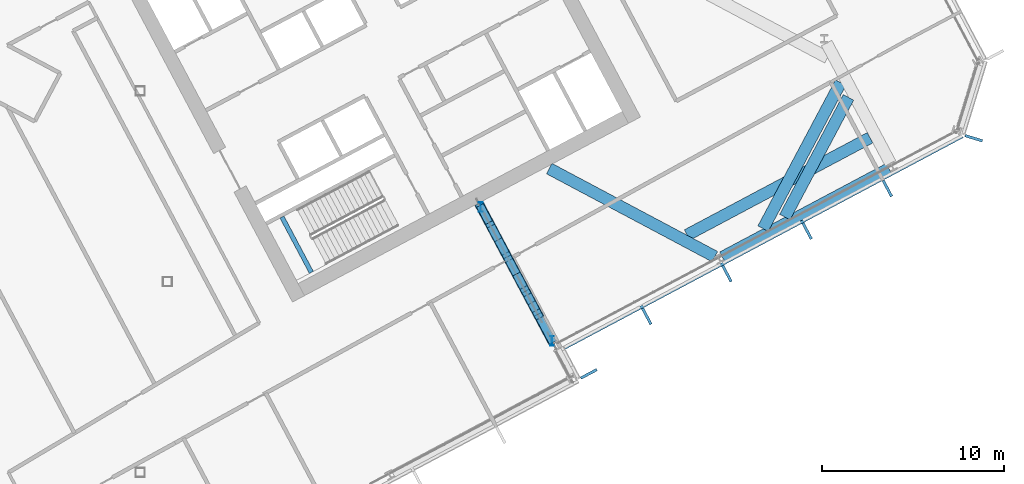
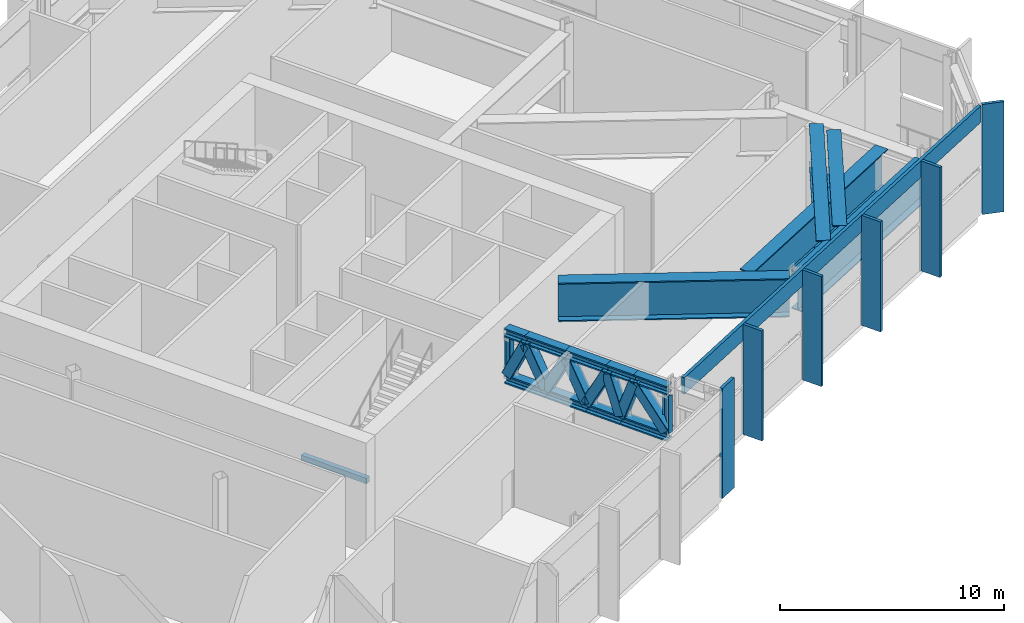
# One storey, part 10 of 33: 26 members, 6 beams, 3 elements without a shape of their own.
"""IFC4 building model written with IfcOpenShell, lengths in metres."""

import ifcopenshell
import ifcopenshell.guid

model = None  # the IFC model being written
_history = None  # IfcOwnerHistory: only IFC2X3 demands one
_inside = {}  # id of a spatial element -> (the spatial element, [elements in it])
_under = {}  # id of a project, library or spatial element -> (it, [spatial elements below it])
_declared = {}  # id of a project -> (the project, [libraries it declares])
_typed = {}  # id of a type object -> (the type object, [elements of that type])
_made_of = {}  # id of a material, layer set ... -> (it, [elements and type objects made of it])


def new_model(schema):
    """Start an empty IFC model of exactly this schema.

    Asked for "IFC4X3", IfcOpenShell would pick the latest addendum, in which some entities
    have other attributes; the version numbers below select the first issue.
    IFC2X3 requires an IfcOwnerHistory on every rooted entity: one is made here for all.
    """
    global model, _history
    if schema == "IFC4X3":
        model = ifcopenshell.file(schema_version=(4, 3, 0, 0))
    else:
        model = ifcopenshell.file(schema=schema)
    _inside.clear()
    _under.clear()
    _declared.clear()
    _typed.clear()
    _made_of.clear()
    _history = None
    if model.schema == "IFC2X3":
        org = make("IfcOrganization", Name="unknown")
        user = make(
            "IfcPersonAndOrganization",
            ThePerson=make("IfcPerson", FamilyName="unknown"),
            TheOrganization=org,
        )
        app = make(
            "IfcApplication",
            ApplicationDeveloper=org,
            Version="unknown",
            ApplicationFullName="unknown",
            ApplicationIdentifier="unknown",
        )
        _history = make(
            "IfcOwnerHistory",
            OwningUser=user,
            OwningApplication=app,
            ChangeAction="ADDED",
            CreationDate=0,
        )
    return model


def make(cls, **values):
    """One entity of the class cls with the attributes given. An attribute that is None is left unset."""
    return model.create_entity(
        cls, **{name: value for name, value in values.items() if value is not None}
    )


def rooted(cls, **values):
    """An entity with a GlobalId (a new one), such as an element, a storey or a relation."""
    return make(cls, GlobalId=ifcopenshell.guid.new(), OwnerHistory=_history, **values)


def si_unit(unit_type, name, prefix=None):
    """IfcSIUnit, for example si_unit("LENGTHUNIT", "METRE", prefix="MILLI")."""
    return make("IfcSIUnit", UnitType=unit_type, Prefix=prefix, Name=name)


def assignment(units):
    """IfcUnitAssignment: the units of a project."""
    return None if units is None else make("IfcUnitAssignment", Units=units)


def point(xyz):
    """IfcCartesianPoint."""
    return None if xyz is None else make("IfcCartesianPoint", Coordinates=xyz)


def direction(xyz):
    """IfcDirection."""
    return None if xyz is None else make("IfcDirection", DirectionRatios=xyz)


def frame(location, z_axis=None, x_axis=None):
    """IfcAxis2Placement3D, a coordinate frame: its origin and axes. An axis left out is left unset."""
    return make(
        "IfcAxis2Placement3D",
        Location=point(location),
        Axis=direction(z_axis),
        RefDirection=direction(x_axis),
    )


def frame_2d(location, x_axis=None):
    """IfcAxis2Placement2D, a coordinate frame in the plane: its origin and x axis."""
    return make(
        "IfcAxis2Placement2D", Location=point(location), RefDirection=direction(x_axis)
    )


def origin():
    """The frame at (0, 0, 0) with its axes left unset."""
    return frame((0.0, 0.0, 0.0))


def origin_2d():
    """The frame at (0, 0) in the plane with its x axis left unset."""
    return frame_2d((0.0, 0.0))


def place(relative_to, where):
    """IfcLocalPlacement: puts the frame where relative to a parent placement (None: the world)."""
    return make(
        "IfcLocalPlacement", PlacementRelTo=relative_to, RelativePlacement=where
    )


def context(
    kind, dimensions, precision=None, world=None, true_north=None, identifier=None
):
    """IfcGeometricRepresentationContext, for example the 3D "Model" context."""
    return make(
        "IfcGeometricRepresentationContext",
        ContextIdentifier=identifier,
        ContextType=kind,
        CoordinateSpaceDimension=dimensions,
        Precision=precision,
        WorldCoordinateSystem=world,
        TrueNorth=true_north,
    )


def subcontext(parent, identifier, kind, view, scale=None):
    """IfcGeometricRepresentationSubContext, for example "Body" below "Model"."""
    return make(
        "IfcGeometricRepresentationSubContext",
        ContextIdentifier=identifier,
        ContextType=kind,
        ParentContext=parent,
        TargetScale=scale,
        TargetView=view,
    )


def project(units=None, contexts=None):
    """IfcProject with its units and contexts."""
    return rooted(
        "IfcProject",
        Name="project",
        RepresentationContexts=contexts,
        UnitsInContext=assignment(units),
    )


def spatial(cls, under=None, at=None, **own):
    """A site, building, storey or space (cls), placed at a placement, below another one or the project."""
    s = rooted(cls, ObjectPlacement=at, **own)
    if under is not None:
        _under.setdefault(under.id(), (under, []))[1].append(s)
    return s


def profile(cls, at=None, kind="AREA", **sizes):
    """A parametric profile (cls). Its sizes go by their IFC names, for example OverallWidth=200.0."""
    return make(cls, ProfileType=kind, Position=at, **sizes)


def rectangle(**sizes):
    """IfcRectangleProfileDef."""
    return profile("IfcRectangleProfileDef", **sizes)


def hollow_rectangle(**sizes):
    """IfcRectangleHollowProfileDef."""
    return profile("IfcRectangleHollowProfileDef", **sizes)


def i_section(**sizes):
    """IfcIShapeProfileDef."""
    return profile("IfcIShapeProfileDef", **sizes)


def extrude(swept, where, along, depth):
    """IfcExtrudedAreaSolid: the profile swept, set in the frame where, extruded along a direction by depth."""
    return make(
        "IfcExtrudedAreaSolid",
        SweptArea=swept,
        Position=where,
        ExtrudedDirection=direction(along),
        Depth=depth,
    )


def shape(context_of_items, identifier, shape_type, items):
    """IfcShapeRepresentation: the items that make up one representation, for example the "Body"."""
    return make(
        "IfcShapeRepresentation",
        ContextOfItems=context_of_items,
        RepresentationIdentifier=identifier,
        RepresentationType=shape_type,
        Items=items,
    )


def material(Name=None, Category=None):
    """IfcMaterial."""
    return make("IfcMaterial", Name=Name, Category=Category)


def layer(
    of_material, thickness, ventilated=None, Name=None, Category=None, Priority=None
):
    """IfcMaterialLayer: one layer of a wall or slab, of a material (None: an air gap)."""
    return make(
        "IfcMaterialLayer",
        Material=of_material,
        LayerThickness=thickness,
        IsVentilated=ventilated,
        Name=Name,
        Category=Category,
        Priority=Priority,
    )


def layer_set(layers, Name=None):
    """IfcMaterialLayerSet."""
    return make("IfcMaterialLayerSet", MaterialLayers=layers, LayerSetName=Name)


def material_profile(
    of_material, cross_section, Name=None, Category=None, Priority=None
):
    """IfcMaterialProfile: a cross section and its material."""
    return make(
        "IfcMaterialProfile",
        Name=Name,
        Material=of_material,
        Profile=cross_section,
        Priority=Priority,
        Category=Category,
    )


def profile_set(profiles, Name=None, composite=None):
    """IfcMaterialProfileSet."""
    return make(
        "IfcMaterialProfileSet",
        Name=Name,
        MaterialProfiles=profiles,
        CompositeProfile=composite,
    )


def made_of(thing, what):
    """Note that an element or type object is made of a material, layer set ...; save() writes the relation."""
    if what is not None:
        _made_of.setdefault(what.id(), (what, []))[1].append(thing)
    return thing


def type_object(cls, material=None, **own):
    """A type object (cls), such as IfcWallType, which elements share."""
    return made_of(rooted(cls, **own), material)


def element(
    cls,
    number,
    at=None,
    inside=None,
    cuts=None,
    type_object=None,
    material=None,
    context=None,
    identifier="Body",
    shape_type=None,
    held_by="IfcProductDefinitionShape",
    body=None,
    shapes=None,
    **own,
):
    """One element of the class cls, such as IfcWall. Its Tag is "e" and its number.

    at: its placement. inside: the storey or other place that contains it. cuts: it is an
    opening in that element (IfcRelVoidsElement). A single representation is given by context,
    identifier, shape_type and body (its items); several are given by shapes. held_by: the class
    of the entity that holds the representations. save() writes the other relations.
    """
    e = rooted(cls, Tag="e%d" % number, ObjectPlacement=at, **own)
    if body is not None:
        shapes = [shape(context, identifier, shape_type, body)]
    if shapes is not None:
        e.Representation = make(held_by, Representations=shapes)
    if inside is not None:
        _inside.setdefault(inside.id(), (inside, []))[1].append(e)
    if cuts is not None:
        rooted(
            "IfcRelVoidsElement", RelatingBuildingElement=cuts, RelatedOpeningElement=e
        )
    if type_object is not None:
        _typed.setdefault(type_object.id(), (type_object, []))[1].append(e)
    return made_of(e, material)


def aggregate(whole, parts):
    """IfcRelAggregates: a whole, such as a stair, and the parts it consists of."""
    return rooted("IfcRelAggregates", RelatingObject=whole, RelatedObjects=parts)


def save(model, path):
    """Write the relations noted so far, then the file.

    IfcRelAggregates (storeys below a building ...), IfcRelContainedInSpatialStructure (elements
    in a storey), IfcRelDefinesByType, IfcRelAssociatesMaterial and IfcRelDeclares: one each for
    every whole, place, type object, material and project.
    """
    for whole, parts in _under.values():
        aggregate(whole, parts)
    for where, things in _inside.values():
        rooted(
            "IfcRelContainedInSpatialStructure",
            RelatedElements=things,
            RelatingStructure=where,
        )
    for kind, things in _typed.values():
        rooted("IfcRelDefinesByType", RelatedObjects=things, RelatingType=kind)
    for what, things in _made_of.values():
        rooted("IfcRelAssociatesMaterial", RelatedObjects=things, RelatingMaterial=what)
    for by, libraries in _declared.values():
        rooted("IfcRelDeclares", RelatingContext=by, RelatedDefinitions=libraries)
    model.write(path)


model = new_model("IFC4")

# Units and contexts
model_context = context("Model", 3, precision=1e-05, world=origin(), true_north=direction((0.0, 1.0)))
body_context = subcontext(model_context, "Body", "Model", "MODEL_VIEW")
ifc_project = project(units=[si_unit("LENGTHUNIT", "METRE"), si_unit("AREAUNIT", "SQUARE_METRE"), si_unit("VOLUMEUNIT", "CUBIC_METRE"), si_unit("PLANEANGLEUNIT", "RADIAN"), si_unit("MASSUNIT", "GRAM", prefix="KILO")], contexts=[model_context])

# Site, building, storey
site_placement = place(None, origin())
site = spatial("IfcSite", under=ifc_project, at=site_placement, CompositionType="ELEMENT")
building_placement = place(site_placement, origin())
building = spatial("IfcBuilding", under=site, at=building_placement, Name="Cormorant Relay Tower", CompositionType="ELEMENT")
storey_placement = place(building_placement, frame((0.0, 0.0, 183.60009765625)))
storey = spatial("IfcBuildingStorey", under=building, at=storey_placement, Name="L39", CompositionType="ELEMENT", Elevation=183.60009765625)

# Curtain wall, member
ifc_material_1 = material(Name="Aluminium 6063-T6 anodised bronze", Category="aluminium")
ifc_layer = layer(ifc_material_1, 0.199951171875)
ifc_layer_set = layer_set([ifc_layer], Name="CW4 band louvre wall")
curtain_wall_type = type_object("IfcCurtainWallType", Name="CW4 band louvre wall", PredefinedType="NOTDEFINED", material=ifc_layer_set)
curtain_wall_1_placement = place(storey_placement, origin())
curtain_wall_1 = element("IfcCurtainWall", 1, at=curtain_wall_1_placement, inside=storey, type_object=curtain_wall_type, Name="CW4 curtain wall 3", PredefinedType="NOTDEFINED")
ifc_material_2 = material(Name="Aluminium 6063-T6 anodised bronze", Category="aluminium")
ifc_material_profile_1 = material_profile(ifc_material_2, rectangle(XDim=0.14990234375, YDim=1.0, at=origin_2d()), Name="AL 150x1000")
ifc_profile_set_1 = profile_set([ifc_material_profile_1], Name="Aluminium 6063-T6 anodised bronze")
member_type_1 = type_object("IfcMemberType", Name="CW4 bronze fin mullion 150 x 1000", PredefinedType="MULLION", material=ifc_profile_set_1)
member_1_placement = place(storey_placement, frame((35.199462890625, -5.068115234375, 0.0), z_axis=(0.0, 0.0, 1.0), x_axis=(-0.469471562786, 0.882947592859, 0.0)))
member_1 = element("IfcMember", 2, at=member_1_placement, type_object=member_type_1, Name="CW4 fin 3.1", PredefinedType="MULLION", context=body_context, shape_type="SweptSolid", body=[
    extrude(rectangle(XDim=0.14990234375, YDim=1.0, at=origin_2d()), origin(), (0.0, 0.0, 1.0), 6.0),
])
aggregate(curtain_wall_1, [member_1])

# Curtain wall, members
curtain_wall_2_placement = place(storey_placement, origin())
curtain_wall_2 = element("IfcCurtainWall", 3, at=curtain_wall_2_placement, inside=storey, type_object=curtain_wall_type, Name="CW4 curtain wall 4", PredefinedType="NOTDEFINED")
member_2_placement = place(storey_placement, frame((38.385986328125, -1.901611328125, 0.0), z_axis=(0.0, 0.0, 1.0), x_axis=(0.882947592859, 0.469471562786, 0.0)))
member_2 = element("IfcMember", 4, at=member_2_placement, type_object=member_type_1, Name="CW4 fin 4.2", PredefinedType="MULLION", context=body_context, shape_type="SweptSolid", body=[
    extrude(rectangle(XDim=0.14990234375, YDim=1.0, at=origin_2d()), origin(), (0.0, 0.0, 1.0), 6.0),
])
member_3_placement = place(storey_placement, frame((42.800537109375, 0.44580078125, 0.0), z_axis=(0.0, 0.0, 1.0), x_axis=(0.882947592859, 0.469471562786, 0.0)))
member_3 = element("IfcMember", 5, at=member_3_placement, type_object=member_type_1, Name="CW4 fin 4.3", PredefinedType="MULLION", context=body_context, shape_type="SweptSolid", body=[
    extrude(rectangle(XDim=0.14990234375, YDim=1.0, at=origin_2d()), origin(), (0.0, 0.0, 1.0), 6.0),
])
member_4_placement = place(storey_placement, frame((47.21533203125, 2.793212890625, 0.0), z_axis=(0.0, 0.0, 1.0), x_axis=(0.882947592859, 0.469471562786, 0.0)))
member_4 = element("IfcMember", 6, at=member_4_placement, type_object=member_type_1, Name="CW4 fin 4.4", PredefinedType="MULLION", context=body_context, shape_type="SweptSolid", body=[
    extrude(rectangle(XDim=0.14990234375, YDim=1.0, at=origin_2d()), origin(), (0.0, 0.0, 1.0), 6.0),
])
member_5_placement = place(storey_placement, frame((51.630126953125, 5.140625, 0.0), z_axis=(0.0, 0.0, 1.0), x_axis=(0.882947592859, 0.469471562786, 0.0)))
member_5 = element("IfcMember", 7, at=member_5_placement, type_object=member_type_1, Name="CW4 fin 4.5", PredefinedType="MULLION", context=body_context, shape_type="SweptSolid", body=[
    extrude(rectangle(XDim=0.14990234375, YDim=1.0, at=origin_2d()), origin(), (0.0, 0.0, 1.0), 6.0),
])

# Curtain wall, member
curtain_wall_3_placement = place(storey_placement, origin())
curtain_wall_3 = element("IfcCurtainWall", 8, at=curtain_wall_3_placement, inside=storey, type_object=curtain_wall_type, Name="CW4 curtain wall 5", PredefinedType="NOTDEFINED")
member_6_placement = place(storey_placement, frame((56.385498046875, 7.9013671875, 0.0), z_axis=(0.0, 0.0, 1.0), x_axis=(0.292371704723, 0.956304755963, 0.0)))
member_6 = element("IfcMember", 9, at=member_6_placement, type_object=member_type_1, Name="CW4 fin 5.1", PredefinedType="MULLION", context=body_context, shape_type="SweptSolid", body=[
    extrude(rectangle(XDim=0.14990234375, YDim=1.0, at=origin_2d()), origin(), (0.0, 0.0, 1.0), 6.0),
])
aggregate(curtain_wall_3, [member_6])

# Member
ifc_material_3 = material(Name="Aluminium 6063-T6 anodised bronze", Category="aluminium")
ifc_material_profile_2 = material_profile(ifc_material_3, rectangle(XDim=0.159912109375, YDim=0.89990234375, at=origin_2d()), Name="AL 160x900")
ifc_profile_set_2 = profile_set([ifc_material_profile_2], Name="Aluminium 6063-T6 anodised bronze")
member_type_2 = type_object("IfcMemberType", Name="CW4 bronze transom 160 x 900", PredefinedType="USERDEFINED", material=ifc_profile_set_2)
member_7_placement = place(storey_placement, frame((33.69873046875, -3.73681640625, 5.5498046875), z_axis=(0.88294749795, 0.469471741284, 0.0), x_axis=(-0.469471741284, 0.88294749795, 0.0)))
member_7 = element("IfcMember", 10, at=member_7_placement, type_object=member_type_2, Name="CW4 transom 4", ObjectType="TRANSOM", PredefinedType="USERDEFINED", context=body_context, shape_type="SweptSolid", body=[
    extrude(rectangle(XDim=0.159912109375, YDim=0.89990234375, at=origin_2d()), origin(), (0.0, 0.0, 1.0), 25.0),
])

aggregate(curtain_wall_2, [member_2, member_3, member_4, member_5, member_7])

# Beams
ifc_material_4 = material(Name="Concrete 50 MPa", Category="concrete")
ifc_material_profile_3 = material_profile(ifc_material_4, rectangle(XDim=0.25, YDim=0.300048828125, at=origin_2d()), Name="RC 250x300")
ifc_profile_set_3 = profile_set([ifc_material_profile_3], Name="Concrete 50 MPa")
beam_type_1 = type_object("IfcBeamType", Name="Stair landing ledge beam 250x300", PredefinedType="BEAM", material=ifc_profile_set_3)
beam_1_placement = place(storey_placement, frame((18.305908203125, 3.56103515625, 2.64990234375), z_axis=(0.469519084434, -0.88292232351, 0.0), x_axis=(0.88292232351, 0.469519084434, 0.0)))
element("IfcBeam", 11, at=beam_1_placement, inside=storey, type_object=beam_type_1, Name="B1 landing ledge beam", PredefinedType="BEAM", context=body_context, shape_type="SweptSolid", body=[
    extrude(rectangle(XDim=0.25, YDim=0.300048828125, at=origin_2d()), origin(), (0.0, 0.0, 1.0), 3.449951171875),
])
ifc_material_5 = material(Name="Steel ASTM A572 Grade 50 (Fy 345 MPa)", Category="steel")
ifc_material_profile_4 = material_profile(ifc_material_5, i_section(OverallWidth=0.64990234375, OverallDepth=2.10009765625, WebThickness=0.028076171875, FlangeThickness=0.06005859375, at=origin_2d()), Name="PG2100x650")
ifc_profile_set_4 = profile_set([ifc_material_profile_4], Name="Steel ASTM A572 Grade 50 (Fy 345 MPa)")
beam_type_2 = type_object("IfcBeamType", Name="Transfer girder PG2100x650", PredefinedType="BEAM", material=ifc_profile_set_4)
beam_2_placement = place(storey_placement, frame((42.1376953125, 1.381103515625, 4.5), z_axis=(-0.882962656725, 0.469443230678, 0.0), x_axis=(-0.469443230678, -0.882962656725, 0.0)))
element("IfcBeam", 12, at=beam_2_placement, inside=storey, type_object=beam_type_2, Name="Transfer girder L39-03", PredefinedType="BEAM", context=body_context, shape_type="SweptSolid", body=[
    extrude(i_section(OverallWidth=0.64990234375, OverallDepth=2.10009765625, WebThickness=0.028076171875, FlangeThickness=0.06005859375, at=origin_2d()), origin(), (0.0, 0.0, 1.0), 10.3291015625),
])
beam_3_placement = place(storey_placement, frame((42.55078125, 1.3544921875, 4.5), z_axis=(0.882955922346, 0.469455896963, 0.0), x_axis=(-0.469455896963, 0.882955922346, 0.0)))
element("IfcBeam", 13, at=beam_3_placement, inside=storey, type_object=beam_type_2, Name="Transfer girder L39-07", PredefinedType="BEAM", context=body_context, shape_type="SweptSolid", body=[
    extrude(i_section(OverallWidth=0.64990234375, OverallDepth=2.10009765625, WebThickness=0.028076171875, FlangeThickness=0.06005859375, at=origin_2d()), origin(), (0.0, 0.0, 1.0), 10.388427734375),
])
beam_4_placement = place(storey_placement, frame((40.606201171875, 2.57470703125, 4.5), z_axis=(0.882944903437, 0.469476620819, 0.0), x_axis=(-0.469476620819, 0.882944903437, 0.0)))
element("IfcBeam", 14, at=beam_4_placement, inside=storey, type_object=beam_type_2, Name="Transfer girder L39-09", PredefinedType="BEAM", context=body_context, shape_type="SweptSolid", body=[
    extrude(i_section(OverallWidth=0.64990234375, OverallDepth=2.10009765625, WebThickness=0.028076171875, FlangeThickness=0.06005859375, at=origin_2d()), origin(), (0.0, 0.0, 1.0), 11.403076171875),
])
beam_5_placement = place(storey_placement, frame((49.49267578125, 10.15087890625, 4.5), z_axis=(-0.469465379163, -0.882950880722, 0.0), x_axis=(0.882950880722, -0.469465379163, 0.0)))
element("IfcBeam", 15, at=beam_5_placement, inside=storey, type_object=beam_type_2, Name="Transfer girder L39-10", PredefinedType="BEAM", context=body_context, shape_type="SweptSolid", body=[
    extrude(i_section(OverallWidth=0.64990234375, OverallDepth=2.10009765625, WebThickness=0.028076171875, FlangeThickness=0.06005859375, at=origin_2d()), origin(), (0.0, 0.0, 1.0), 7.462158203125),
])
beam_6_placement = place(storey_placement, frame((49.0615234375, 10.961181640625, 4.5), z_axis=(-0.469461744074, -0.882952813491, 0.0), x_axis=(0.882952813491, -0.469461744074, 0.0)))
element("IfcBeam", 16, at=beam_6_placement, inside=storey, type_object=beam_type_2, Name="Transfer girder L39-11", PredefinedType="BEAM", context=body_context, shape_type="SweptSolid", body=[
    extrude(i_section(OverallWidth=0.64990234375, OverallDepth=2.10009765625, WebThickness=0.028076171875, FlangeThickness=0.06005859375, at=origin_2d()), origin(), (0.0, 0.0, 1.0), 9.103271484375),
])

# Members
ifc_material_6 = material(Name="Steel ASTM A992 (Fy 345 MPa)", Category="steel")
ifc_material_profile_5 = material_profile(ifc_material_6, i_section(OverallWidth=0.42431640625, OverallDepth=0.47509765625, WebThickness=0.0478515625, FlangeThickness=0.0771484375, FilletRadius=0.014892578125, at=origin_2d()), Name="W360x634")
ifc_profile_set_5 = profile_set([ifc_material_profile_5], Name="Steel ASTM A992 (Fy 345 MPa)")
member_type_3 = type_object("IfcMemberType", Name="Truss bottom chord W360x634", PredefinedType="CHORD", material=ifc_profile_set_5)
member_8_placement = place(storey_placement, frame((33.218994140625, -3.3466796875, 2.787353515625), z_axis=(-0.469440209666, 0.882964262895, 0.0), x_axis=(-0.882964262895, -0.469440209666, 0.0)))
element("IfcMember", 17, at=member_8_placement, inside=storey, type_object=member_type_3, Name="Truss bottom chord L39-02-06", PredefinedType="CHORD", context=body_context, shape_type="SweptSolid", body=[
    extrude(i_section(OverallWidth=0.42431640625, OverallDepth=0.47509765625, WebThickness=0.0478515625, FlangeThickness=0.0771484375, FilletRadius=0.014892578125, at=origin_2d()), origin(), (0.0, 0.0, 1.0), 2.484375),
])
member_9_placement = place(storey_placement, frame((32.052734375, -1.153076171875, 2.787353515625), z_axis=(-0.469540618156, 0.882910872003, 0.0), x_axis=(-0.882910872003, -0.469540618156, 0.0)))
element("IfcMember", 18, at=member_9_placement, inside=storey, type_object=member_type_3, Name="Truss bottom chord L39-02-07", PredefinedType="CHORD", context=body_context, shape_type="SweptSolid", body=[
    extrude(i_section(OverallWidth=0.42431640625, OverallDepth=0.47509765625, WebThickness=0.0478515625, FlangeThickness=0.0771484375, FilletRadius=0.014892578125, at=origin_2d()), origin(), (0.0, 0.0, 1.0), 1.790771484375),
])
for number, where, z_axis, x_axis, name in (
    (19, (31.2119140625, 0.427978515625, 2.787353515625), (-0.46941407626, 0.882978156586, 0.0), (-0.882978156586, -0.46941407626, 0.0), "Truss bottom chord L39-02-08"),
    (20, (30.20849609375, 2.3154296875, 2.787353515625), (-0.469503115057, 0.882930815496, 0.0), (-0.882930815496, -0.469503115057, 0.0), "Truss bottom chord L39-02-09"),
):
    element("IfcMember", number, at=place(storey_placement, frame(where, z_axis=z_axis, x_axis=x_axis)), inside=storey, type_object=member_type_3, Name=name, PredefinedType="CHORD", context=body_context, shape_type="SweptSolid", body=[
        extrude(i_section(OverallWidth=0.42431640625, OverallDepth=0.47509765625, WebThickness=0.0478515625, FlangeThickness=0.0771484375, FilletRadius=0.014892578125, at=origin_2d()), origin(), (0.0, 0.0, 1.0), 2.1376953125),
    ])
ifc_material_7 = material(Name="Steel ASTM A500 Grade C (Fy 345 MPa)", Category="steel")
ifc_material_profile_6 = material_profile(ifc_material_7, hollow_rectangle(XDim=0.508056640625, YDim=0.508056640625, WallThickness=0.020751953125, InnerFilletRadius=0.01025390625, OuterFilletRadius=0.031005859375, at=origin_2d()), Name="HSS508x508x21")
ifc_profile_set_6 = profile_set([ifc_material_profile_6], Name="Steel ASTM A500 Grade C (Fy 345 MPa)")
member_type_4 = type_object("IfcMemberType", Name="Truss diagonal HSS508x508x21", PredefinedType="BRACE", material=ifc_profile_set_6)
member_10_placement = place(storey_placement, frame((33.169921875, -3.25439453125, 3.02490234375), z_axis=(-0.295204206779, 0.555220961056, 0.777550101732), x_axis=(-0.882955512936, -0.469456666985, 0.0)))
element("IfcMember", 21, at=member_10_placement, inside=storey, type_object=member_type_4, Name="Truss diagonal L39-02-12", PredefinedType="BRACE", context=body_context, shape_type="SweptSolid", body=[
    extrude(hollow_rectangle(XDim=0.508056640625, YDim=0.508056640625, WallThickness=0.020751953125, InnerFilletRadius=0.01025390625, OuterFilletRadius=0.031005859375, at=origin_2d()), origin(), (0.0, 0.0, 1.0), 2.636474609375),
])
for number, where, z_axis, x_axis, name in (
    (22, (32.3916015625, -1.79052734375, 5.074951171875), (-0.155912276224, 0.29329031212, -0.943224339666), (-0.88298870853, -0.469394227285, 0.0), "Truss diagonal L39-02-13"),
    (23, (32.052734375, -1.153076171875, 3.02490234375), (-0.155912276224, 0.29329031212, 0.943224339666), (-0.88298870853, -0.469394227285, 0.0), "Truss diagonal L39-02-14"),
):
    element("IfcMember", number, at=place(storey_placement, frame(where, z_axis=z_axis, x_axis=x_axis)), inside=storey, type_object=member_type_4, Name=name, PredefinedType="BRACE", context=body_context, shape_type="SweptSolid", body=[
        extrude(hollow_rectangle(XDim=0.508056640625, YDim=0.508056640625, WallThickness=0.020751953125, InnerFilletRadius=0.01025390625, OuterFilletRadius=0.031005859375, at=origin_2d()), origin(), (0.0, 0.0, 1.0), 2.17333984375),
    ])
member_11_placement = place(storey_placement, frame((31.7138671875, -0.515625, 5.074951171875), z_axis=(-0.217113830851, 0.408144433968, -0.886724142828), x_axis=(-0.882858283586, -0.46963949057, 0.0)))
element("IfcMember", 24, at=member_11_placement, inside=storey, type_object=member_type_4, Name="Truss diagonal L39-02-15", PredefinedType="BRACE", context=body_context, shape_type="SweptSolid", body=[
    extrude(hollow_rectangle(XDim=0.508056640625, YDim=0.508056640625, WallThickness=0.020751953125, InnerFilletRadius=0.01025390625, OuterFilletRadius=0.031005859375, at=origin_2d()), origin(), (0.0, 0.0, 1.0), 2.31201171875),
])
member_12_placement = place(storey_placement, frame((31.2119140625, 0.427978515625, 3.02490234375), z_axis=(-0.2170132051, 0.408153789642, 0.886744468724), x_axis=(-0.882952986065, -0.469461419499, 0.0)))
element("IfcMember", 25, at=member_12_placement, inside=storey, type_object=member_type_4, Name="Truss diagonal L39-02-16", PredefinedType="BRACE", context=body_context, shape_type="SweptSolid", body=[
    extrude(hollow_rectangle(XDim=0.508056640625, YDim=0.508056640625, WallThickness=0.020751953125, InnerFilletRadius=0.01025390625, OuterFilletRadius=0.031005859375, at=origin_2d()), origin(), (0.0, 0.0, 1.0), 2.311767578125),
])
for number, where, z_axis, x_axis, name in (
    (26, (30.710205078125, 1.37158203125, 5.074951171875), (-0.217003850776, 0.408241794209, -0.886706245726), (-0.883003319493, -0.469366741221, 0.0), "Truss diagonal L39-02-17"),
    (27, (30.20849609375, 2.3154296875, 3.02490234375), (-0.217113830851, 0.408144433968, 0.886724142828), (-0.882858283586, -0.46963949057, 0.0), "Truss diagonal L39-02-18"),
):
    element("IfcMember", number, at=place(storey_placement, frame(where, z_axis=z_axis, x_axis=x_axis)), inside=storey, type_object=member_type_4, Name=name, PredefinedType="BRACE", context=body_context, shape_type="SweptSolid", body=[
        extrude(hollow_rectangle(XDim=0.508056640625, YDim=0.508056640625, WallThickness=0.020751953125, InnerFilletRadius=0.01025390625, OuterFilletRadius=0.031005859375, at=origin_2d()), origin(), (0.0, 0.0, 1.0), 2.31201171875),
    ])
member_13_placement = place(storey_placement, frame((29.70654296875, 3.259033203125, 5.074951171875), z_axis=(-0.199798758519, 0.375781160171, -0.904913794654), x_axis=(-0.882955022798, -0.469457588835, 0.0)))
element("IfcMember", 28, at=member_13_placement, inside=storey, type_object=member_type_4, Name="Truss diagonal L39-02-19", PredefinedType="BRACE", context=body_context, shape_type="SweptSolid", body=[
    extrude(hollow_rectangle(XDim=0.508056640625, YDim=0.508056640625, WallThickness=0.020751953125, InnerFilletRadius=0.01025390625, OuterFilletRadius=0.031005859375, at=origin_2d()), origin(), (0.0, 0.0, 1.0), 2.265380859375),
])
ifc_material_8 = material(Name="Steel ASTM A992 (Fy 345 MPa)", Category="steel")
ifc_material_profile_7 = material_profile(ifc_material_8, i_section(OverallWidth=0.209228515625, OverallDepth=0.533447265625, WebThickness=0.01025390625, FlangeThickness=0.015625, FilletRadius=0.0126953125, at=origin_2d()), Name="W530x92")
ifc_profile_set_7 = profile_set([ifc_material_profile_7], Name="Steel ASTM A992 (Fy 345 MPa)")
member_type_5 = type_object("IfcMemberType", Name="Truss end post W530x92", PredefinedType="POST", material=ifc_profile_set_7)
for number, where, z_axis, x_axis, name in (
    (29, (33.169921875, -3.25439453125, 3.02490234375), (0.0, 0.0, 1.0), (1.0, 0.0, 0.0), "Truss end post L39-02-10"),
    (30, (29.25390625, 4.1103515625, 3.02490234375), (0.0, 0.0, 1.0), (1.0, 0.0, 0.0), "Truss end post L39-02-11"),
):
    element("IfcMember", number, at=place(storey_placement, frame(where, z_axis=z_axis, x_axis=x_axis)), inside=storey, type_object=member_type_5, Name=name, PredefinedType="POST", context=body_context, shape_type="SweptSolid", body=[
        extrude(i_section(OverallWidth=0.209228515625, OverallDepth=0.533447265625, WebThickness=0.01025390625, FlangeThickness=0.015625, FilletRadius=0.0126953125, at=origin_2d()), origin(), (0.0, 0.0, 1.0), 2.050048828125),
    ])
ifc_material_9 = material(Name="Steel ASTM A992 (Fy 345 MPa)", Category="steel")
ifc_material_profile_8 = material_profile(ifc_material_9, i_section(OverallWidth=0.42431640625, OverallDepth=0.47509765625, WebThickness=0.0478515625, FlangeThickness=0.0771484375, FilletRadius=0.014892578125, at=origin_2d()), Name="W360x634")
ifc_profile_set_8 = profile_set([ifc_material_profile_8], Name="Steel ASTM A992 (Fy 345 MPa)")
member_type_6 = type_object("IfcMemberType", Name="Truss top chord W360x634", PredefinedType="CHORD", material=ifc_profile_set_8)
member_14_placement = place(storey_placement, frame((33.218994140625, -3.3466796875, 5.3125), z_axis=(-0.469459044459, 0.882954248858, 0.0), x_axis=(-0.882954248858, -0.469459044459, 0.0)))
element("IfcMember", 31, at=member_14_placement, inside=storey, type_object=member_type_6, Name="Truss top chord L39-02-01", PredefinedType="CHORD", context=body_context, shape_type="SweptSolid", body=[
    extrude(i_section(OverallWidth=0.42431640625, OverallDepth=0.47509765625, WebThickness=0.0478515625, FlangeThickness=0.0771484375, FilletRadius=0.014892578125, at=origin_2d()), origin(), (0.0, 0.0, 1.0), 1.762451171875),
])
member_15_placement = place(storey_placement, frame((32.3916015625, -1.79052734375, 5.3125), z_axis=(-0.469394227285, 0.88298870853, 0.0), x_axis=(-0.88298870853, -0.469394227285, 0.0)))
element("IfcMember", 32, at=member_15_placement, inside=storey, type_object=member_type_6, Name="Truss top chord L39-02-02", PredefinedType="CHORD", context=body_context, shape_type="SweptSolid", body=[
    extrude(i_section(OverallWidth=0.42431640625, OverallDepth=0.47509765625, WebThickness=0.0478515625, FlangeThickness=0.0771484375, FilletRadius=0.014892578125, at=origin_2d()), origin(), (0.0, 0.0, 1.0), 1.44384765625),
])
member_16_placement = place(storey_placement, frame((31.7138671875, -0.515625, 5.3125), z_axis=(-0.469550462197, 0.882905636776, 0.0), x_axis=(-0.882905636776, -0.469550462197, 0.0)))
element("IfcMember", 33, at=member_16_placement, inside=storey, type_object=member_type_6, Name="Truss top chord L39-02-03", PredefinedType="CHORD", context=body_context, shape_type="SweptSolid", body=[
    extrude(i_section(OverallWidth=0.42431640625, OverallDepth=0.47509765625, WebThickness=0.0478515625, FlangeThickness=0.0771484375, FilletRadius=0.014892578125, at=origin_2d()), origin(), (0.0, 0.0, 1.0), 2.137451171875),
])
member_17_placement = place(storey_placement, frame((30.710205078125, 1.37158203125, 5.3125), z_axis=(-0.469503115057, 0.882930815496, 0.0), x_axis=(-0.882930815496, -0.469503115057, 0.0)))
element("IfcMember", 34, at=member_17_placement, inside=storey, type_object=member_type_6, Name="Truss top chord L39-02-04", PredefinedType="CHORD", context=body_context, shape_type="SweptSolid", body=[
    extrude(i_section(OverallWidth=0.42431640625, OverallDepth=0.47509765625, WebThickness=0.0478515625, FlangeThickness=0.0771484375, FilletRadius=0.014892578125, at=origin_2d()), origin(), (0.0, 0.0, 1.0), 2.1376953125),
])
member_18_placement = place(storey_placement, frame((29.70654296875, 3.259033203125, 5.3125), z_axis=(-0.469366741221, 0.883003319493, 0.0), x_axis=(-0.883003319493, -0.469366741221, 0.0)))
element("IfcMember", 35, at=member_18_placement, inside=storey, type_object=member_type_6, Name="Truss top chord L39-02-05", PredefinedType="CHORD", context=body_context, shape_type="SweptSolid", body=[
    extrude(i_section(OverallWidth=0.42431640625, OverallDepth=0.47509765625, WebThickness=0.0478515625, FlangeThickness=0.0771484375, FilletRadius=0.014892578125, at=origin_2d()), origin(), (0.0, 0.0, 1.0), 1.06884765625),
])

save(model, "model.ifc")
